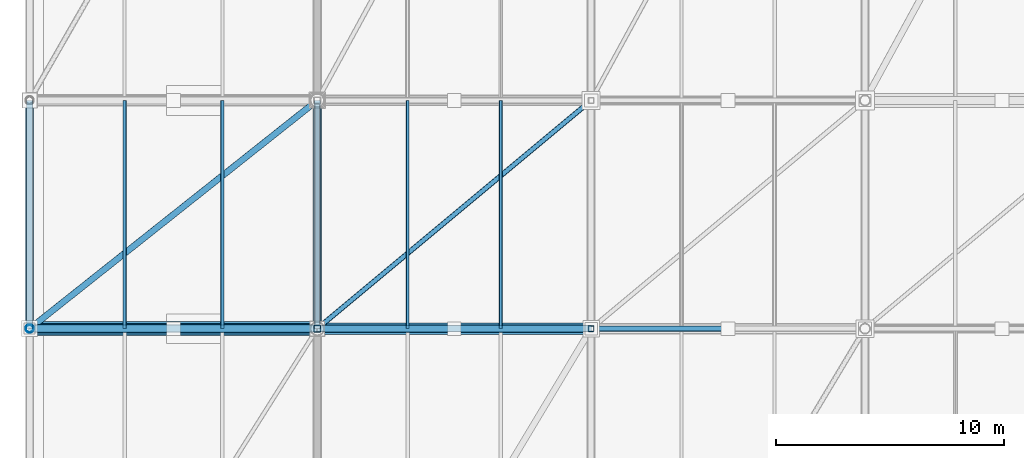
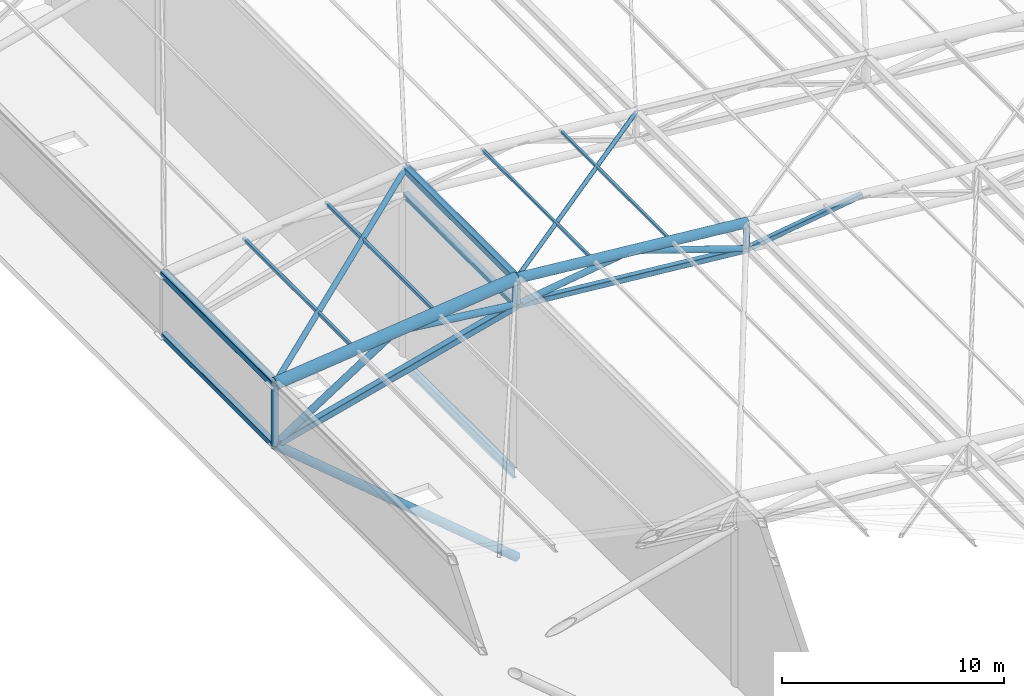
# One storey, part 24 of 44: 23 members, 1 beam.
"""IFC4 building model written with IfcOpenShell, lengths in metres."""

from ifc_helpers import new_model, si_unit, direction, frame, origin, origin_2d, place, context, subcontext, project, spatial, hollow_rectangle, hollow_circle, i_section, extrude, material, material_profile, profile_set, type_object, element, save


model = new_model("IFC4")

# Units and contexts
model_context = context("Model", 3, precision=1e-05, world=origin(), true_north=direction((0.0, 1.0)))
body_context = subcontext(model_context, "Body", "Model", "MODEL_VIEW")
ifc_project = project(units=[si_unit("LENGTHUNIT", "METRE"), si_unit("AREAUNIT", "SQUARE_METRE"), si_unit("VOLUMEUNIT", "CUBIC_METRE"), si_unit("PLANEANGLEUNIT", "RADIAN"), si_unit("MASSUNIT", "GRAM", prefix="KILO")], contexts=[model_context])

# Site, building, storey
site_placement = place(None, origin())
site = spatial("IfcSite", under=ifc_project, at=site_placement, CompositionType="ELEMENT")
building_placement = place(site_placement, origin())
building = spatial("IfcBuilding", under=site, at=building_placement, Name="Brinegate Civic Arena", CompositionType="ELEMENT")
storey_placement = place(building_placement, frame((0.0, 0.0, 29.39990234375)))
storey = spatial("IfcBuildingStorey", under=building, at=storey_placement, Name="RF", CompositionType="ELEMENT", Elevation=29.39990234375)

# Members
ifc_material = material(Name="Steel S355", Category="steel")
ifc_material_profile_1 = material_profile(ifc_material, hollow_rectangle(XDim=0.139892578125, YDim=0.139892578125, WallThickness=0.008056640625, InnerFilletRadius=0.008056640625, OuterFilletRadius=0.01611328125, at=origin_2d()), Name="SHS140X8")
ifc_profile_set_1 = profile_set([ifc_material_profile_1], Name="Steel S355")
member_type_1 = type_object("IfcMemberType", Name="RF-PURLIN-SHS140", PredefinedType="PURLIN", material=ifc_profile_set_1)
for number, where, z_axis, x_axis, name in (
    (1, (63.9599609375, 72.0, 10.22412109375), (0.0, 1.0, 0.0), (-1.0, 0.0, 0.0), "Roof Purlin RFP-075"),
    (2, (68.0400390625, 72.0, 9.841064453125), (0.0, 1.0, 0.0), (-1.0, 0.0, 0.0), "Roof Purlin RFP-076"),
):
    element("IfcMember", number, at=place(storey_placement, frame(where, z_axis=z_axis, x_axis=x_axis)), inside=storey, type_object=member_type_1, Name=name, PredefinedType="PURLIN", context=body_context, shape_type="SweptSolid", body=[
        extrude(hollow_rectangle(XDim=0.139892578125, YDim=0.139892578125, WallThickness=0.008056640625, InnerFilletRadius=0.008056640625, OuterFilletRadius=0.01611328125, at=origin_2d()), origin(), (0.0, 0.0, 1.0), 10.0),
    ])
ifc_material_profile_2 = material_profile(ifc_material, hollow_rectangle(XDim=0.159912109375, YDim=0.159912109375, WallThickness=0.008056640625, InnerFilletRadius=0.008056640625, OuterFilletRadius=0.01611328125, at=origin_2d()), Name="SHS160X8")
ifc_profile_set_2 = profile_set([ifc_material_profile_2], Name="Steel S355")
member_type_2 = type_object("IfcMemberType", Name="RF-PURLIN-SHS160", PredefinedType="PURLIN", material=ifc_profile_set_2)
for number, where, z_axis, x_axis, name in (
    (3, (51.55810546875, 72.0, 9.647216796875), (0.0, 1.0, 0.0), (-1.0, 0.0, 0.0), "Roof Purlin RFP-073"),
    (4, (55.842041015625, 72.0, 10.123046875), (0.0, 1.0, 0.0), (-1.0, 0.0, 0.0), "Roof Purlin RFP-074"),
):
    element("IfcMember", number, at=place(storey_placement, frame(where, z_axis=z_axis, x_axis=x_axis)), inside=storey, type_object=member_type_2, Name=name, PredefinedType="PURLIN", context=body_context, shape_type="SweptSolid", body=[
        extrude(hollow_rectangle(XDim=0.159912109375, YDim=0.159912109375, WallThickness=0.008056640625, InnerFilletRadius=0.008056640625, OuterFilletRadius=0.01611328125, at=origin_2d()), origin(), (0.0, 0.0, 1.0), 10.0),
    ])
ifc_material_profile_3 = material_profile(ifc_material, hollow_circle(Radius=0.109619140625, WallThickness=0.010009765625, at=origin_2d()), Name="CHS219X10")
ifc_profile_set_3 = profile_set([ifc_material_profile_3], Name="Steel S355")
member_type_3 = type_object("IfcMemberType", Name="SF-BRACE-CHS219", PredefinedType="BRACE", material=ifc_profile_set_3)
member_1_placement = place(storey_placement, frame((60.0, 72.0, 10.550048828125), z_axis=(0.766236619907, 0.638530516589, -0.071834683116), x_axis=(-0.640184399664, 0.768221279597, 0.0)))
element("IfcMember", 5, at=member_1_placement, inside=storey, type_object=member_type_3, Name="Roof Plan Diagonal Brace PL-5-2", PredefinedType="BRACE", context=body_context, shape_type="SweptSolid", body=[
    extrude(hollow_circle(Radius=0.109619140625, WallThickness=0.010009765625, at=origin_2d()), origin(), (0.0, 0.0, 1.0), 15.660888671875),
])
ifc_material_profile_4 = material_profile(ifc_material, hollow_circle(Radius=0.136474609375, WallThickness=0.011962890625, at=origin_2d()), Name="CHS273X12")
ifc_profile_set_4 = profile_set([ifc_material_profile_4], Name="Steel S355")
member_type_4 = type_object("IfcMemberType", Name="SF-BRACE-CHS273", PredefinedType="BRACE", material=ifc_profile_set_4)
member_2_placement = place(storey_placement, frame((47.39990234375, 72.0, 9.150146484375), z_axis=(0.780341879736, 0.619314152179, 0.086697933315), x_axis=(-0.621654903434, 0.783291249176, 0.0)))
element("IfcMember", 6, at=member_2_placement, inside=storey, type_object=member_type_4, Name="Roof Plan Diagonal Brace PL-5-1", PredefinedType="BRACE", context=body_context, shape_type="SweptSolid", body=[
    extrude(hollow_circle(Radius=0.136474609375, WallThickness=0.011962890625, at=origin_2d()), origin(), (0.0, 0.0, 1.0), 16.14697265625),
])
ifc_material_profile_5 = material_profile(ifc_material, hollow_circle(Radius=0.162109375, WallThickness=0.011962890625, at=origin_2d()), Name="CHS324X12")
ifc_profile_set_5 = profile_set([ifc_material_profile_5], Name="Steel S355")
member_type_5 = type_object("IfcMemberType", Name="SF-BRACE-CHS324", PredefinedType="BRACE", material=ifc_profile_set_5)
member_3_placement = place(storey_placement, frame((60.0, 72.0, 9.10009765625), z_axis=(0.989226142737, 0.0, 0.1463954867), x_axis=(0.0, 1.0, 0.0)))
element("IfcMember", 7, at=member_3_placement, inside=storey, type_object=member_type_5, Name="Space Frame Web Brace D1-5-2", PredefinedType="BRACE", context=body_context, shape_type="SweptSolid", body=[
    extrude(hollow_circle(Radius=0.162109375, WallThickness=0.011962890625, at=origin_2d()), origin(), (0.0, 0.0, 1.0), 6.0654296875),
])
member_4_placement = place(storey_placement, frame((66.0, 72.0, 9.988037109375), z_axis=(0.948068139281, 0.0, -0.318067293635), x_axis=(0.0, 1.0, 0.0)))
element("IfcMember", 8, at=member_4_placement, inside=storey, type_object=member_type_5, Name="Space Frame Web Brace D2-5-2", PredefinedType="BRACE", context=body_context, shape_type="SweptSolid", body=[
    extrude(hollow_circle(Radius=0.162109375, WallThickness=0.011962890625, at=origin_2d()), origin(), (0.0, 0.0, 1.0), 6.32861328125),
])
ifc_material_profile_6 = material_profile(ifc_material, hollow_circle(Radius=0.177978515625, WallThickness=0.013916015625, at=origin_2d()), Name="CHS356X14")
ifc_profile_set_6 = profile_set([ifc_material_profile_6], Name="Steel S355")
member_type_6 = type_object("IfcMemberType", Name="SF-BRACE-CHS356", PredefinedType="BRACE", material=ifc_profile_set_6)
member_5_placement = place(storey_placement, frame((47.39990234375, 72.0, 5.800048828125), z_axis=(0.841177416252, 0.0, 0.540759238837), x_axis=(0.0, 1.0, 0.0)))
element("IfcMember", 9, at=member_5_placement, inside=storey, type_object=member_type_6, Name="Space Frame Web Brace D1-5-1", PredefinedType="BRACE", context=body_context, shape_type="SweptSolid", body=[
    extrude(hollow_circle(Radius=0.177978515625, WallThickness=0.013916015625, at=origin_2d()), origin(), (0.0, 0.0, 1.0), 7.489501953125),
])
member_6_placement = place(storey_placement, frame((53.699951171875, 72.0, 9.85009765625), z_axis=(0.992988381742, 0.0, -0.118211986387), x_axis=(0.0, 1.0, 0.0)))
element("IfcMember", 10, at=member_6_placement, inside=storey, type_object=member_type_6, Name="Space Frame Web Brace D2-5-1", PredefinedType="BRACE", context=body_context, shape_type="SweptSolid", body=[
    extrude(hollow_circle(Radius=0.177978515625, WallThickness=0.013916015625, at=origin_2d()), origin(), (0.0, 0.0, 1.0), 6.344482421875),
])
ifc_material_profile_7 = material_profile(ifc_material, hollow_rectangle(XDim=0.25, YDim=0.25, WallThickness=0.011962890625, InnerFilletRadius=0.011962890625, OuterFilletRadius=0.02392578125, at=origin_2d()), Name="SHS250X12")
ifc_profile_set_7 = profile_set([ifc_material_profile_7], Name="Steel S355")
member_type_7 = type_object("IfcMemberType", Name="SF-BRACE-SHS250", PredefinedType="BRACE", material=ifc_profile_set_7)
member_7_placement = place(storey_placement, frame((72.0, 72.0, 7.97509765625), z_axis=(0.989226142737, 0.0, 0.1463954867), x_axis=(0.0, 1.0, 0.0)))
element("IfcMember", 11, at=member_7_placement, inside=storey, type_object=member_type_7, Name="Space Frame Web Brace D1-5-3", PredefinedType="BRACE", context=body_context, shape_type="SweptSolid", body=[
    extrude(hollow_rectangle(XDim=0.25, YDim=0.25, WallThickness=0.011962890625, InnerFilletRadius=0.011962890625, OuterFilletRadius=0.02392578125, at=origin_2d()), origin(), (0.0, 0.0, 1.0), 6.0654296875),
])
ifc_material_profile_8 = material_profile(ifc_material, hollow_circle(Radius=0.25390625, WallThickness=0.02001953125, at=origin_2d()), Name="CHS508X20")
ifc_profile_set_8 = profile_set([ifc_material_profile_8], Name="Steel S355")
member_type_8 = type_object("IfcMemberType", Name="SF-CHORD-CHS508", PredefinedType="CHORD", material=ifc_profile_set_8)
member_8_placement = place(storey_placement, frame((60.0, 72.0, 10.550048828125), z_axis=(0.995634226059, 0.0, -0.093340708693), x_axis=(0.0, 1.0, 0.0)))
element("IfcMember", 12, at=member_8_placement, inside=storey, type_object=member_type_8, Name="Space Frame Top Chord TX-5-2", PredefinedType="CHORD", context=body_context, shape_type="SweptSolid", body=[
    extrude(hollow_circle(Radius=0.25390625, WallThickness=0.02001953125, at=origin_2d()), origin(), (0.0, 0.0, 1.0), 12.052734375),
])
ifc_material_profile_9 = material_profile(ifc_material, hollow_circle(Radius=0.304931640625, WallThickness=0.02490234375, at=origin_2d()), Name="CHS610X25")
ifc_profile_set_9 = profile_set([ifc_material_profile_9], Name="Steel S355")
member_type_9 = type_object("IfcMemberType", Name="SF-CHORD-CHS610", PredefinedType="CHORD", material=ifc_profile_set_9)
member_9_placement = place(storey_placement, frame((47.39990234375, 72.0, 9.150146484375), z_axis=(0.993884674033, 0.0, 0.110423071515), x_axis=(0.0, 1.0, 0.0)))
element("IfcMember", 13, at=member_9_placement, inside=storey, type_object=member_type_9, Name="Space Frame Top Chord TX-5-1", PredefinedType="CHORD", context=body_context, shape_type="SweptSolid", body=[
    extrude(hollow_circle(Radius=0.304931640625, WallThickness=0.02490234375, at=origin_2d()), origin(), (0.0, 0.0, 1.0), 12.677734375),
])
ifc_material_profile_10 = material_profile(ifc_material, hollow_rectangle(XDim=0.300048828125, YDim=0.300048828125, WallThickness=0.01611328125, InnerFilletRadius=0.01611328125, OuterFilletRadius=0.031982421875, at=origin_2d()), Name="SHS300X16")
ifc_profile_set_10 = profile_set([ifc_material_profile_10], Name="Steel S355")
member_type_10 = type_object("IfcMemberType", Name="SF-CHORD-SHS300", PredefinedType="CHORD", material=ifc_profile_set_10)
member_10_placement = place(storey_placement, frame((60.0, 72.0, 9.10009765625), z_axis=(0.995634226059, 0.0, -0.093340708693), x_axis=(0.0, 1.0, 0.0)))
element("IfcMember", 14, at=member_10_placement, inside=storey, type_object=member_type_10, Name="Space Frame Bottom Chord BX-5-2", PredefinedType="CHORD", context=body_context, shape_type="SweptSolid", body=[
    extrude(hollow_rectangle(XDim=0.300048828125, YDim=0.300048828125, WallThickness=0.01611328125, InnerFilletRadius=0.01611328125, OuterFilletRadius=0.031982421875, at=origin_2d()), origin(), (0.0, 0.0, 1.0), 12.052734375),
])
for number, where, z_axis, x_axis, name in (
    (15, (47.39990234375, 72.0, 5.800048828125), (0.0, 1.0, 0.0), (-1.0, 0.0, 0.0), "Space Frame Cross Bottom Chord BY-5-1"),
    (16, (60.0, 72.0, 9.10009765625), (0.0, 1.0, 0.0), (-1.0, 0.0, 0.0), "Space Frame Cross Bottom Chord BY-5-2"),
):
    element("IfcMember", number, at=place(storey_placement, frame(where, z_axis=z_axis, x_axis=x_axis)), inside=storey, type_object=member_type_10, Name=name, PredefinedType="CHORD", context=body_context, shape_type="SweptSolid", body=[
        extrude(hollow_rectangle(XDim=0.300048828125, YDim=0.300048828125, WallThickness=0.01611328125, InnerFilletRadius=0.01611328125, OuterFilletRadius=0.031982421875, at=origin_2d()), origin(), (0.0, 0.0, 1.0), 10.0),
    ])
ifc_material_profile_11 = material_profile(ifc_material, hollow_rectangle(XDim=0.35009765625, YDim=0.35009765625, WallThickness=0.01611328125, InnerFilletRadius=0.01611328125, OuterFilletRadius=0.031982421875, at=origin_2d()), Name="SHS350X16")
ifc_profile_set_11 = profile_set([ifc_material_profile_11], Name="Steel S355")
member_type_11 = type_object("IfcMemberType", Name="SF-CHORD-SHS350", PredefinedType="CHORD", material=ifc_profile_set_11)
member_11_placement = place(storey_placement, frame((47.39990234375, 72.0, 5.800048828125), z_axis=(0.967371785856, 0.0, 0.25336106238), x_axis=(0.0, 1.0, 0.0)))
element("IfcMember", 17, at=member_11_placement, inside=storey, type_object=member_type_11, Name="Space Frame Bottom Chord BX-5-1", PredefinedType="CHORD", context=body_context, shape_type="SweptSolid", body=[
    extrude(hollow_rectangle(XDim=0.35009765625, YDim=0.35009765625, WallThickness=0.01611328125, InnerFilletRadius=0.01611328125, OuterFilletRadius=0.031982421875, at=origin_2d()), origin(), (0.0, 0.0, 1.0), 13.025146484375),
])
for number, where, z_axis, x_axis, name in (
    (18, (47.39990234375, 72.0, 9.150146484375), (0.0, 1.0, 0.0), (-1.0, 0.0, 0.0), "Space Frame Cross Top Chord TY-5-1"),
    (19, (60.0, 72.0, 10.550048828125), (0.0, 1.0, 0.0), (-1.0, 0.0, 0.0), "Space Frame Cross Top Chord TY-5-2"),
):
    element("IfcMember", number, at=place(storey_placement, frame(where, z_axis=z_axis, x_axis=x_axis)), inside=storey, type_object=member_type_11, Name=name, PredefinedType="CHORD", context=body_context, shape_type="SweptSolid", body=[
        extrude(hollow_rectangle(XDim=0.35009765625, YDim=0.35009765625, WallThickness=0.01611328125, InnerFilletRadius=0.01611328125, OuterFilletRadius=0.031982421875, at=origin_2d()), origin(), (0.0, 0.0, 1.0), 10.0),
    ])
ifc_material_profile_12 = material_profile(ifc_material, hollow_circle(Radius=0.177978515625, WallThickness=0.013916015625, at=origin_2d()), Name="CHS356X14")
ifc_profile_set_12 = profile_set([ifc_material_profile_12], Name="Steel S355")
member_type_12 = type_object("IfcMemberType", Name="SF-STRUT-CHS356", PredefinedType="STRUT", material=ifc_profile_set_12)
member_12_placement = place(storey_placement, frame((47.39990234375, 72.0, 5.800048828125), z_axis=(0.0, 0.0, 1.0), x_axis=(1.0, 0.0, 0.0)))
element("IfcMember", 20, at=member_12_placement, inside=storey, type_object=member_type_12, Name="Space Frame Vertical Post V-5-1", PredefinedType="STRUT", context=body_context, shape_type="SweptSolid", body=[
    extrude(hollow_circle(Radius=0.177978515625, WallThickness=0.013916015625, at=origin_2d()), origin(), (0.0, 0.0, 1.0), 3.35009765625),
])
ifc_material_profile_13 = material_profile(ifc_material, hollow_circle(Radius=0.228515625, WallThickness=0.01611328125, at=origin_2d()), Name="CHS457X16")
ifc_profile_set_13 = profile_set([ifc_material_profile_13], Name="Steel S355")
member_type_13 = type_object("IfcMemberType", Name="SF-STRUT-CHS457", PredefinedType="STRUT", material=ifc_profile_set_13)
member_13_placement = place(storey_placement, frame((60.0, 72.0, -4.7998046875), z_axis=(-0.765232927861, 0.0, 0.643753497945), x_axis=(0.0, -1.0, 0.0)))
element("IfcMember", 21, at=member_13_placement, inside=storey, type_object=member_type_13, Name="Cantilever Back-Prop Strut SFS-CANT-05", PredefinedType="STRUT", context=body_context, shape_type="SweptSolid", body=[
    extrude(hollow_circle(Radius=0.228515625, WallThickness=0.01611328125, at=origin_2d()), origin(), (0.0, 0.0, 1.0), 16.4658203125),
])
ifc_material_profile_14 = material_profile(ifc_material, hollow_rectangle(XDim=0.25, YDim=0.25, WallThickness=0.011962890625, InnerFilletRadius=0.011962890625, OuterFilletRadius=0.02392578125, at=origin_2d()), Name="SHS250X12")
ifc_profile_set_14 = profile_set([ifc_material_profile_14], Name="Steel S355")
member_type_14 = type_object("IfcMemberType", Name="SF-STRUT-SHS250", PredefinedType="STRUT", material=ifc_profile_set_14)
member_14_placement = place(storey_placement, frame((72.0, 72.0, 7.97509765625), z_axis=(0.0, 0.0, 1.0), x_axis=(1.0, 0.0, 0.0)))
element("IfcMember", 22, at=member_14_placement, inside=storey, type_object=member_type_14, Name="Space Frame Vertical Post V-5-3", PredefinedType="STRUT", context=body_context, shape_type="SweptSolid", body=[
    extrude(hollow_rectangle(XDim=0.25, YDim=0.25, WallThickness=0.011962890625, InnerFilletRadius=0.011962890625, OuterFilletRadius=0.02392578125, at=origin_2d()), origin(), (0.0, 0.0, 1.0), 1.449951171875),
])
ifc_material_profile_15 = material_profile(ifc_material, hollow_rectangle(XDim=0.300048828125, YDim=0.300048828125, WallThickness=0.01611328125, InnerFilletRadius=0.01611328125, OuterFilletRadius=0.031982421875, at=origin_2d()), Name="SHS300X16")
ifc_profile_set_15 = profile_set([ifc_material_profile_15], Name="Steel S355")
member_type_15 = type_object("IfcMemberType", Name="SF-STRUT-SHS300", PredefinedType="STRUT", material=ifc_profile_set_15)
member_15_placement = place(storey_placement, frame((60.0, 72.0, 9.10009765625), z_axis=(0.0, 0.0, 1.0), x_axis=(1.0, 0.0, 0.0)))
element("IfcMember", 23, at=member_15_placement, inside=storey, type_object=member_type_15, Name="Space Frame Vertical Post V-5-2", PredefinedType="STRUT", context=body_context, shape_type="SweptSolid", body=[
    extrude(hollow_rectangle(XDim=0.300048828125, YDim=0.300048828125, WallThickness=0.01611328125, InnerFilletRadius=0.01611328125, OuterFilletRadius=0.031982421875, at=origin_2d()), origin(), (0.0, 0.0, 1.0), 1.449951171875),
])

# Beam
ifc_material_profile_16 = material_profile(ifc_material, i_section(OverallWidth=0.2119140625, OverallDepth=0.5439453125, WebThickness=0.012939453125, FlangeThickness=0.02099609375, FilletRadius=0.01611328125, at=origin_2d()), Name="W530X123")
ifc_profile_set_16 = profile_set([ifc_material_profile_16], Name="Steel S355")
beam_type = type_object("IfcBeamType", Name="SPANDREL-W530X123", PredefinedType="SPANDREL", material=ifc_profile_set_16)
beam_placement = place(storey_placement, frame((60.0, 72.14990234375, -0.27197265625), z_axis=(0.0, 1.0, 0.0), x_axis=(-1.0, 0.0, 0.0)))
element("IfcBeam", 24, at=beam_placement, inside=storey, type_object=beam_type, Name="West Drum Crown Ring Beam WDRM-5", PredefinedType="SPANDREL", context=body_context, shape_type="SweptSolid", body=[
    extrude(i_section(OverallWidth=0.2119140625, OverallDepth=0.5439453125, WebThickness=0.012939453125, FlangeThickness=0.02099609375, FilletRadius=0.01611328125, at=origin_2d()), origin(), (0.0, 0.0, 1.0), 9.7001953125),
])

save(model, "model.ifc")
